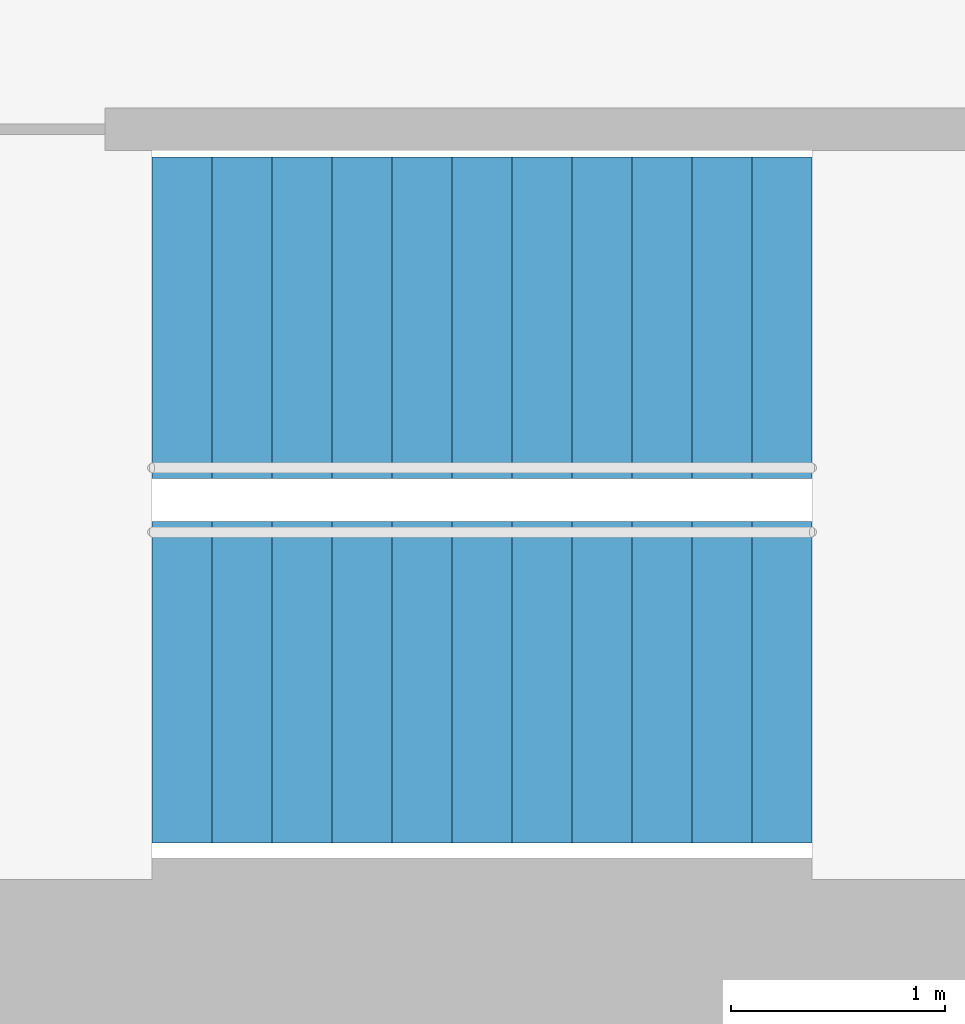
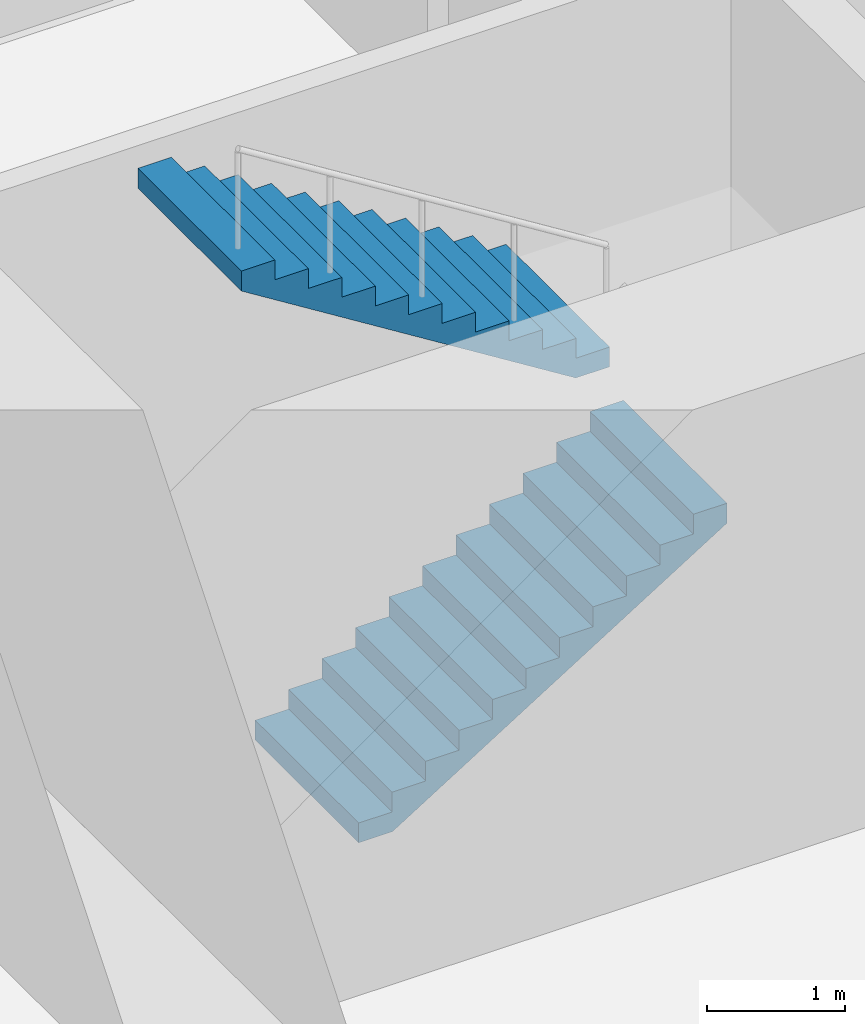
# One storey, part 15 of 17: 2 stair flights, 1 element without a shape of its own.
"""IFC4 building model written with IfcOpenShell, lengths in metres."""

from ifc_helpers import new_model, si_unit, direction, frame, origin, place, context, subcontext, project, spatial, triangles, material, type_object, element, aggregate, save


model = new_model("IFC4")

# Units and contexts
model_context = context("Model", 3, precision=1e-05, world=origin(), true_north=direction((0.0, 1.0)))
body_context = subcontext(model_context, "Body", "Model", "MODEL_VIEW")
ifc_project = project(units=[si_unit("LENGTHUNIT", "METRE"), si_unit("AREAUNIT", "SQUARE_METRE"), si_unit("VOLUMEUNIT", "CUBIC_METRE"), si_unit("PLANEANGLEUNIT", "RADIAN"), si_unit("MASSUNIT", "GRAM", prefix="KILO")], contexts=[model_context])

# Site, building, storey
site_placement = place(None, origin())
site = spatial("IfcSite", under=ifc_project, at=site_placement, CompositionType="ELEMENT")
building_placement = place(site_placement, origin())
building = spatial("IfcBuilding", under=site, at=building_placement, Name="Lantaw Convention Tower", CompositionType="ELEMENT")
storey_placement = place(building_placement, frame((0.0, 0.0, 117.39990234375)))
storey = spatial("IfcBuildingStorey", under=building, at=storey_placement, Name="L27", CompositionType="ELEMENT", Elevation=117.39990234375)

# Stair, stair flights
ifc_material = material(Name="Concrete C35/45", Category="concrete")
stair_type = type_object("IfcStairType", Name="Exit stair 1500 riser 175 in 2 flights", PredefinedType="HALF_TURN_STAIR", material=ifc_material)
stair_placement = place(storey_placement, origin())
stair = element("IfcStair", 1, at=stair_placement, inside=storey, type_object=stair_type, Name="Exit stair S1 L27", PredefinedType="HALF_TURN_STAIR")
stair_flight_type = type_object("IfcStairFlightType", Name="Stair flight 1500 riser 175", PredefinedType="STRAIGHT", material=ifc_material)
stair_flight_1_placement = place(storey_placement, frame((-10.580078125, -5.97998046875, 0.0), z_axis=(0.0, 0.0, 1.0), x_axis=(1.0, 0.0, 0.0)))
stair_flight_1 = element("IfcStairFlight", 2, at=stair_flight_1_placement, type_object=stair_flight_type, Name="S1 flight 1", NumberOfRisers=12, NumberOfTreads=11, PredefinedType="STRAIGHT", RiserHeight=0.175, TreadLength=0.28, context=body_context, shape_type="Tessellation", body=[
    triangles([(0.0, 0.75, 0.0), (0.0, 0.75, 0.175), (0.28, 0.75, 0.0), (0.28, 0.75, 0.175), (0.28, 0.75, 0.35), (0.28283517651771284, 0.75, 0.0), (0.28283517651771284, 0.75, 0.35), (0.56, 0.75, 0.17322801467642948), (0.56, 0.75, 0.35), (0.56, 0.75, 0.5249999999999999), (0.8400000000000001, 0.75, 0.34822801467642944), (0.8400000000000001, 0.75, 0.5249999999999999), (0.8400000000000001, 0.75, 0.7), (1.12, 0.75, 0.5232280146764294), (1.12, 0.75, 0.7), (1.12, 0.75, 0.875), (1.4000000000000001, 0.75, 0.6982280146764295), (1.4000000000000001, 0.75, 0.875), (1.4000000000000001, 0.75, 1.0499999999999998), (1.6800000000000002, 0.75, 0.8732280146764294), (1.6800000000000002, 0.75, 1.0499999999999998), (1.6800000000000002, 0.75, 1.2249999999999999), (1.9600000000000002, 0.75, 1.0482280146764293), (1.9600000000000002, 0.75, 1.2249999999999999), (1.9600000000000002, 0.75, 1.4), (2.24, 0.75, 1.2232280146764294), (2.24, 0.75, 1.4), (2.24, 0.75, 1.575), (2.5200000000000005, 0.75, 1.3982280146764294), (2.5200000000000005, 0.75, 1.575), (2.5200000000000005, 0.75, 1.75), (2.8000000000000003, 0.75, 1.5732280146764293), (2.8000000000000003, 0.75, 1.75), (2.8000000000000003, 0.75, 1.9249999999999998), (3.08, 0.75, 1.7482280146764293), (3.08, 0.75, 1.9249999999999998), (0.0, -0.75, 0.0), (0.0, -0.75, 0.175), (0.28, -0.75, 0.0), (0.28, -0.75, 0.175), (0.28, -0.75, 0.35), (0.28283517651771284, -0.75, 0.0), (0.28283517651771284, -0.75, 0.35), (0.56, -0.75, 0.17322801467642948), (0.56, -0.75, 0.35), (0.56, -0.75, 0.5249999999999999), (0.8400000000000001, -0.75, 0.34822801467642944), (0.8400000000000001, -0.75, 0.5249999999999999), (0.8400000000000001, -0.75, 0.7), (1.12, -0.75, 0.5232280146764294), (1.12, -0.75, 0.7), (1.12, -0.75, 0.875), (1.4000000000000001, -0.75, 0.6982280146764295), (1.4000000000000001, -0.75, 0.875), (1.4000000000000001, -0.75, 1.0499999999999998), (1.6800000000000002, -0.75, 0.8732280146764294), (1.6800000000000002, -0.75, 1.0499999999999998), (1.6800000000000002, -0.75, 1.2249999999999999), (1.9600000000000002, -0.75, 1.0482280146764293), (1.9600000000000002, -0.75, 1.2249999999999999), (1.9600000000000002, -0.75, 1.4), (2.24, -0.75, 1.2232280146764294), (2.24, -0.75, 1.4), (2.24, -0.75, 1.575), (2.5200000000000005, -0.75, 1.3982280146764294), (2.5200000000000005, -0.75, 1.575), (2.5200000000000005, -0.75, 1.75), (2.8000000000000003, -0.75, 1.5732280146764293), (2.8000000000000003, -0.75, 1.75), (2.8000000000000003, -0.75, 1.9249999999999998), (3.08, -0.75, 1.7482280146764293), (3.08, -0.75, 1.9249999999999998), (0.0, 0.15000000000000002, 0.175), (0.0, 0.15000000000000002, 0.0), (0.0, 0.0, 0.175), (0.0, 0.0, 0.0), (0.0, -0.15000000000000002, 0.175), (0.0, -0.15000000000000002, 0.0), (0.28, 0.15000000000000002, 0.35), (0.28, 0.15000000000000002, 0.175), (0.28, 0.0, 0.35), (0.28, 0.0, 0.175), (0.28, -0.15000000000000002, 0.35), (0.28, -0.15000000000000002, 0.175), (0.56, 0.15000000000000002, 0.5249999999999999), (0.56, 0.15000000000000002, 0.35), (0.56, 0.0, 0.5249999999999999), (0.56, 0.0, 0.35), (0.56, -0.15000000000000002, 0.5249999999999999), (0.56, -0.15000000000000002, 0.35), (0.8400000000000001, 0.15000000000000002, 0.7), (0.8400000000000001, 0.15000000000000002, 0.5249999999999999), (0.8400000000000001, 0.0, 0.7), (0.8400000000000001, 0.0, 0.5249999999999999), (0.8400000000000001, -0.15000000000000002, 0.7), (0.8400000000000001, -0.15000000000000002, 0.5249999999999999), (1.12, 0.15000000000000002, 0.875), (1.12, 0.15000000000000002, 0.7), (1.12, 0.0, 0.875), (1.12, 0.0, 0.7), (1.12, -0.15000000000000002, 0.875), (1.12, -0.15000000000000002, 0.7), (1.4000000000000001, 0.15000000000000002, 1.0499999999999998), (1.4000000000000001, 0.15000000000000002, 0.875), (1.4000000000000001, 0.0, 1.0499999999999998), (1.4000000000000001, 0.0, 0.875), (1.4000000000000001, -0.15000000000000002, 1.0499999999999998), (1.4000000000000001, -0.15000000000000002, 0.875), (1.6800000000000002, 0.15000000000000002, 1.2249999999999999), (1.6800000000000002, 0.15000000000000002, 1.0499999999999998), (1.6800000000000002, 0.0, 1.2249999999999999), (1.6800000000000002, 0.0, 1.0499999999999998), (1.6800000000000002, -0.15000000000000002, 1.2249999999999999), (1.6800000000000002, -0.15000000000000002, 1.0499999999999998), (1.9600000000000002, 0.15000000000000002, 1.4), (1.9600000000000002, 0.15000000000000002, 1.2249999999999999), (1.9600000000000002, 0.0, 1.4), (1.9600000000000002, 0.0, 1.2249999999999999), (1.9600000000000002, -0.15000000000000002, 1.4), (1.9600000000000002, -0.15000000000000002, 1.2249999999999999), (2.24, 0.15000000000000002, 1.575), (2.24, 0.15000000000000002, 1.4), (2.24, 0.0, 1.575), (2.24, 0.0, 1.4), (2.24, -0.15000000000000002, 1.575), (2.24, -0.15000000000000002, 1.4), (2.5200000000000005, 0.15000000000000002, 1.75), (2.5200000000000005, 0.15000000000000002, 1.575), (2.5200000000000005, 0.0, 1.75), (2.5200000000000005, 0.0, 1.575), (2.5200000000000005, -0.15000000000000002, 1.75), (2.5200000000000005, -0.15000000000000002, 1.575), (2.8000000000000003, 0.15000000000000002, 1.9249999999999998), (2.8000000000000003, 0.15000000000000002, 1.75), (2.8000000000000003, 0.0, 1.9249999999999998), (2.8000000000000003, 0.0, 1.75), (2.8000000000000003, -0.15000000000000002, 1.9249999999999998), (2.8000000000000003, -0.15000000000000002, 1.75), (0.28283517651771284, 0.15000000000000002, 0.35), (0.28283517651771284, 0.0, 0.35), (0.28283517651771284, -0.15000000000000002, 0.35), (3.08, 0.15000000000000002, 1.9249999999999998), (3.08, 0.0, 1.9249999999999998), (3.08, -0.15000000000000002, 1.9249999999999998), (3.08, 0.15000000000000002, 1.7482280146764293), (3.08, 0.0, 1.7482280146764293), (3.08, -0.15000000000000002, 1.7482280146764293), (2.8000000000000003, 0.15000000000000002, 1.5732280146764293), (2.8000000000000003, 0.0, 1.5732280146764293), (2.8000000000000003, -0.15000000000000002, 1.5732280146764293), (2.5200000000000005, 0.15000000000000002, 1.3982280146764294), (2.5200000000000005, 0.0, 1.3982280146764294), (2.5200000000000005, -0.15000000000000002, 1.3982280146764294), (2.24, 0.15000000000000002, 1.2232280146764294), (2.24, 0.0, 1.2232280146764294), (2.24, -0.15000000000000002, 1.2232280146764294), (1.9600000000000002, 0.15000000000000002, 1.0482280146764293), (1.9600000000000002, 0.0, 1.0482280146764293), (1.9600000000000002, -0.15000000000000002, 1.0482280146764293), (1.6800000000000002, 0.15000000000000002, 0.8732280146764294), (1.6800000000000002, 0.0, 0.8732280146764294), (1.6800000000000002, -0.15000000000000002, 0.8732280146764294), (1.4000000000000001, 0.15000000000000002, 0.6982280146764295), (1.4000000000000001, 0.0, 0.6982280146764295), (1.4000000000000001, -0.15000000000000002, 0.6982280146764295), (1.12, 0.15000000000000002, 0.5232280146764294), (1.12, 0.0, 0.5232280146764294), (1.12, -0.15000000000000002, 0.5232280146764294), (0.8400000000000001, 0.15000000000000002, 0.34822801467642944), (0.8400000000000001, 0.0, 0.34822801467642944), (0.8400000000000001, -0.15000000000000002, 0.34822801467642944), (0.56, 0.15000000000000002, 0.17322801467642948), (0.56, 0.0, 0.17322801467642948), (0.56, -0.15000000000000002, 0.17322801467642948), (0.28283517651771284, 0.15000000000000002, 0.0), (0.28283517651771284, 0.0, 0.0), (0.28283517651771284, -0.15000000000000002, 0.0), (0.28, 0.15000000000000002, 0.0), (0.28, 0.0, 0.0), (0.28, -0.15000000000000002, 0.0)], [[1, 4, 3], [1, 2, 4], [3, 4, 6], [4, 7, 6], [4, 5, 7], [6, 9, 8], [6, 7, 9], [8, 9, 11], [9, 12, 11], [9, 10, 12], [11, 12, 14], [12, 15, 14], [12, 13, 15], [14, 15, 17], [15, 18, 17], [15, 16, 18], [17, 18, 20], [18, 21, 20], [18, 19, 21], [20, 21, 23], [21, 24, 23], [21, 22, 24], [23, 24, 26], [24, 27, 26], [24, 25, 27], [26, 27, 29], [27, 30, 29], [27, 28, 30], [29, 30, 32], [30, 33, 32], [30, 31, 33], [32, 33, 35], [33, 36, 35], [33, 34, 36], [37, 39, 40], [37, 40, 38], [39, 42, 40], [40, 42, 43], [40, 43, 41], [42, 44, 45], [42, 45, 43], [44, 47, 45], [45, 47, 48], [45, 48, 46], [47, 50, 48], [48, 50, 51], [48, 51, 49], [50, 53, 51], [51, 53, 54], [51, 54, 52], [53, 56, 54], [54, 56, 57], [54, 57, 55], [56, 59, 57], [57, 59, 60], [57, 60, 58], [59, 62, 60], [60, 62, 63], [60, 63, 61], [62, 65, 63], [63, 65, 66], [63, 66, 64], [65, 68, 66], [66, 68, 69], [66, 69, 67], [68, 71, 69], [69, 71, 72], [69, 72, 70], [1, 73, 2], [1, 74, 73], [74, 75, 73], [74, 76, 75], [76, 77, 75], [76, 78, 77], [78, 38, 77], [78, 37, 38], [4, 79, 5], [4, 80, 79], [80, 81, 79], [80, 82, 81], [82, 83, 81], [82, 84, 83], [84, 41, 83], [84, 40, 41], [9, 85, 10], [9, 86, 85], [86, 87, 85], [86, 88, 87], [88, 89, 87], [88, 90, 89], [90, 46, 89], [90, 45, 46], [12, 91, 13], [12, 92, 91], [92, 93, 91], [92, 94, 93], [94, 95, 93], [94, 96, 95], [96, 49, 95], [96, 48, 49], [15, 97, 16], [15, 98, 97], [98, 99, 97], [98, 100, 99], [100, 101, 99], [100, 102, 101], [102, 52, 101], [102, 51, 52], [18, 103, 19], [18, 104, 103], [104, 105, 103], [104, 106, 105], [106, 107, 105], [106, 108, 107], [108, 55, 107], [108, 54, 55], [21, 109, 22], [21, 110, 109], [110, 111, 109], [110, 112, 111], [112, 113, 111], [112, 114, 113], [114, 58, 113], [114, 57, 58], [24, 115, 25], [24, 116, 115], [116, 117, 115], [116, 118, 117], [118, 119, 117], [118, 120, 119], [120, 61, 119], [120, 60, 61], [27, 121, 28], [27, 122, 121], [122, 123, 121], [122, 124, 123], [124, 125, 123], [124, 126, 125], [126, 64, 125], [126, 63, 64], [30, 127, 31], [30, 128, 127], [128, 129, 127], [128, 130, 129], [130, 131, 129], [130, 132, 131], [132, 67, 131], [132, 66, 67], [33, 133, 34], [33, 134, 133], [134, 135, 133], [134, 136, 135], [136, 137, 135], [136, 138, 137], [138, 70, 137], [138, 69, 70], [2, 80, 4], [2, 73, 80], [73, 82, 80], [73, 75, 82], [75, 84, 82], [75, 77, 84], [77, 40, 84], [77, 38, 40], [5, 139, 7], [5, 79, 139], [79, 140, 139], [79, 81, 140], [81, 141, 140], [81, 83, 141], [83, 43, 141], [83, 41, 43], [7, 86, 9], [7, 139, 86], [139, 88, 86], [139, 140, 88], [140, 90, 88], [140, 141, 90], [141, 45, 90], [141, 43, 45], [10, 92, 12], [10, 85, 92], [85, 94, 92], [85, 87, 94], [87, 96, 94], [87, 89, 96], [89, 48, 96], [89, 46, 48], [13, 98, 15], [13, 91, 98], [91, 100, 98], [91, 93, 100], [93, 102, 100], [93, 95, 102], [95, 51, 102], [95, 49, 51], [16, 104, 18], [16, 97, 104], [97, 106, 104], [97, 99, 106], [99, 108, 106], [99, 101, 108], [101, 54, 108], [101, 52, 54], [19, 110, 21], [19, 103, 110], [103, 112, 110], [103, 105, 112], [105, 114, 112], [105, 107, 114], [107, 57, 114], [107, 55, 57], [22, 116, 24], [22, 109, 116], [109, 118, 116], [109, 111, 118], [111, 120, 118], [111, 113, 120], [113, 60, 120], [113, 58, 60], [25, 122, 27], [25, 115, 122], [115, 124, 122], [115, 117, 124], [117, 126, 124], [117, 119, 126], [119, 63, 126], [119, 61, 63], [28, 128, 30], [28, 121, 128], [121, 130, 128], [121, 123, 130], [123, 132, 130], [123, 125, 132], [125, 66, 132], [125, 64, 66], [31, 134, 33], [31, 127, 134], [127, 136, 134], [127, 129, 136], [129, 138, 136], [129, 131, 138], [131, 69, 138], [131, 67, 69], [34, 142, 36], [34, 133, 142], [133, 143, 142], [133, 135, 143], [135, 144, 143], [135, 137, 144], [137, 72, 144], [137, 70, 72], [36, 145, 35], [36, 142, 145], [142, 146, 145], [142, 143, 146], [143, 147, 146], [143, 144, 147], [144, 71, 147], [144, 72, 71], [35, 148, 32], [35, 145, 148], [145, 149, 148], [145, 146, 149], [146, 150, 149], [146, 147, 150], [147, 68, 150], [147, 71, 68], [32, 151, 29], [32, 148, 151], [148, 152, 151], [148, 149, 152], [149, 153, 152], [149, 150, 153], [150, 65, 153], [150, 68, 65], [29, 154, 26], [29, 151, 154], [151, 155, 154], [151, 152, 155], [152, 156, 155], [152, 153, 156], [153, 62, 156], [153, 65, 62], [26, 157, 23], [26, 154, 157], [154, 158, 157], [154, 155, 158], [155, 159, 158], [155, 156, 159], [156, 59, 159], [156, 62, 59], [23, 160, 20], [23, 157, 160], [157, 161, 160], [157, 158, 161], [158, 162, 161], [158, 159, 162], [159, 56, 162], [159, 59, 56], [20, 163, 17], [20, 160, 163], [160, 164, 163], [160, 161, 164], [161, 165, 164], [161, 162, 165], [162, 53, 165], [162, 56, 53], [17, 166, 14], [17, 163, 166], [163, 167, 166], [163, 164, 167], [164, 168, 167], [164, 165, 168], [165, 50, 168], [165, 53, 50], [14, 169, 11], [14, 166, 169], [166, 170, 169], [166, 167, 170], [167, 171, 170], [167, 168, 171], [168, 47, 171], [168, 50, 47], [11, 172, 8], [11, 169, 172], [169, 173, 172], [169, 170, 173], [170, 174, 173], [170, 171, 174], [171, 44, 174], [171, 47, 44], [8, 175, 6], [8, 172, 175], [172, 176, 175], [172, 173, 176], [173, 177, 176], [173, 174, 177], [174, 42, 177], [174, 44, 42], [6, 178, 3], [6, 175, 178], [175, 179, 178], [175, 176, 179], [176, 180, 179], [176, 177, 180], [177, 39, 180], [177, 42, 39], [3, 74, 1], [3, 178, 74], [178, 76, 74], [178, 179, 76], [179, 78, 76], [179, 180, 78], [180, 37, 78], [180, 39, 37]], closed=True),
])
stair_flight_2_placement = place(storey_placement, frame((-7.5, -4.280029296875, 2.10009765625), z_axis=(0.0, 0.0, 1.0), x_axis=(-1.0, 0.0, 0.0)))
stair_flight_2 = element("IfcStairFlight", 3, at=stair_flight_2_placement, type_object=stair_flight_type, Name="S1 flight 2", NumberOfRisers=12, NumberOfTreads=11, PredefinedType="STRAIGHT", RiserHeight=0.175, TreadLength=0.28, context=body_context, shape_type="Tessellation", body=[
    triangles([(0.0, 0.75, 0.0), (0.0, 0.75, 0.175), (0.28, 0.75, 0.0), (0.28, 0.75, 0.175), (0.28, 0.75, 0.35), (0.28283517651771284, 0.75, 0.0), (0.28283517651771284, 0.75, 0.35), (0.56, 0.75, 0.17322801467642948), (0.56, 0.75, 0.35), (0.56, 0.75, 0.5249999999999999), (0.8400000000000001, 0.75, 0.34822801467642944), (0.8400000000000001, 0.75, 0.5249999999999999), (0.8400000000000001, 0.75, 0.7), (1.12, 0.75, 0.5232280146764294), (1.12, 0.75, 0.7), (1.12, 0.75, 0.875), (1.4000000000000001, 0.75, 0.6982280146764295), (1.4000000000000001, 0.75, 0.875), (1.4000000000000001, 0.75, 1.0499999999999998), (1.6800000000000002, 0.75, 0.8732280146764294), (1.6800000000000002, 0.75, 1.0499999999999998), (1.6800000000000002, 0.75, 1.2249999999999999), (1.9600000000000002, 0.75, 1.0482280146764293), (1.9600000000000002, 0.75, 1.2249999999999999), (1.9600000000000002, 0.75, 1.4), (2.24, 0.75, 1.2232280146764294), (2.24, 0.75, 1.4), (2.24, 0.75, 1.575), (2.5200000000000005, 0.75, 1.3982280146764294), (2.5200000000000005, 0.75, 1.575), (2.5200000000000005, 0.75, 1.75), (2.8000000000000003, 0.75, 1.5732280146764293), (2.8000000000000003, 0.75, 1.75), (2.8000000000000003, 0.75, 1.9249999999999998), (3.08, 0.75, 1.7482280146764293), (3.08, 0.75, 1.9249999999999998), (0.0, -0.75, 0.0), (0.0, -0.75, 0.175), (0.28, -0.75, 0.0), (0.28, -0.75, 0.175), (0.28, -0.75, 0.35), (0.28283517651771284, -0.75, 0.0), (0.28283517651771284, -0.75, 0.35), (0.56, -0.75, 0.17322801467642948), (0.56, -0.75, 0.35), (0.56, -0.75, 0.5249999999999999), (0.8400000000000001, -0.75, 0.34822801467642944), (0.8400000000000001, -0.75, 0.5249999999999999), (0.8400000000000001, -0.75, 0.7), (1.12, -0.75, 0.5232280146764294), (1.12, -0.75, 0.7), (1.12, -0.75, 0.875), (1.4000000000000001, -0.75, 0.6982280146764295), (1.4000000000000001, -0.75, 0.875), (1.4000000000000001, -0.75, 1.0499999999999998), (1.6800000000000002, -0.75, 0.8732280146764294), (1.6800000000000002, -0.75, 1.0499999999999998), (1.6800000000000002, -0.75, 1.2249999999999999), (1.9600000000000002, -0.75, 1.0482280146764293), (1.9600000000000002, -0.75, 1.2249999999999999), (1.9600000000000002, -0.75, 1.4), (2.24, -0.75, 1.2232280146764294), (2.24, -0.75, 1.4), (2.24, -0.75, 1.575), (2.5200000000000005, -0.75, 1.3982280146764294), (2.5200000000000005, -0.75, 1.575), (2.5200000000000005, -0.75, 1.75), (2.8000000000000003, -0.75, 1.5732280146764293), (2.8000000000000003, -0.75, 1.75), (2.8000000000000003, -0.75, 1.9249999999999998), (3.08, -0.75, 1.7482280146764293), (3.08, -0.75, 1.9249999999999998), (0.0, 0.15000000000000002, 0.175), (0.0, 0.15000000000000002, 0.0), (0.0, 0.0, 0.175), (0.0, 0.0, 0.0), (0.0, -0.15000000000000002, 0.175), (0.0, -0.15000000000000002, 0.0), (0.28, 0.15000000000000002, 0.35), (0.28, 0.15000000000000002, 0.175), (0.28, 0.0, 0.35), (0.28, 0.0, 0.175), (0.28, -0.15000000000000002, 0.35), (0.28, -0.15000000000000002, 0.175), (0.56, 0.15000000000000002, 0.5249999999999999), (0.56, 0.15000000000000002, 0.35), (0.56, 0.0, 0.5249999999999999), (0.56, 0.0, 0.35), (0.56, -0.15000000000000002, 0.5249999999999999), (0.56, -0.15000000000000002, 0.35), (0.8400000000000001, 0.15000000000000002, 0.7), (0.8400000000000001, 0.15000000000000002, 0.5249999999999999), (0.8400000000000001, 0.0, 0.7), (0.8400000000000001, 0.0, 0.5249999999999999), (0.8400000000000001, -0.15000000000000002, 0.7), (0.8400000000000001, -0.15000000000000002, 0.5249999999999999), (1.12, 0.15000000000000002, 0.875), (1.12, 0.15000000000000002, 0.7), (1.12, 0.0, 0.875), (1.12, 0.0, 0.7), (1.12, -0.15000000000000002, 0.875), (1.12, -0.15000000000000002, 0.7), (1.4000000000000001, 0.15000000000000002, 1.0499999999999998), (1.4000000000000001, 0.15000000000000002, 0.875), (1.4000000000000001, 0.0, 1.0499999999999998), (1.4000000000000001, 0.0, 0.875), (1.4000000000000001, -0.15000000000000002, 1.0499999999999998), (1.4000000000000001, -0.15000000000000002, 0.875), (1.6800000000000002, 0.15000000000000002, 1.2249999999999999), (1.6800000000000002, 0.15000000000000002, 1.0499999999999998), (1.6800000000000002, 0.0, 1.2249999999999999), (1.6800000000000002, 0.0, 1.0499999999999998), (1.6800000000000002, -0.15000000000000002, 1.2249999999999999), (1.6800000000000002, -0.15000000000000002, 1.0499999999999998), (1.9600000000000002, 0.15000000000000002, 1.4), (1.9600000000000002, 0.15000000000000002, 1.2249999999999999), (1.9600000000000002, 0.0, 1.4), (1.9600000000000002, 0.0, 1.2249999999999999), (1.9600000000000002, -0.15000000000000002, 1.4), (1.9600000000000002, -0.15000000000000002, 1.2249999999999999), (2.24, 0.15000000000000002, 1.575), (2.24, 0.15000000000000002, 1.4), (2.24, 0.0, 1.575), (2.24, 0.0, 1.4), (2.24, -0.15000000000000002, 1.575), (2.24, -0.15000000000000002, 1.4), (2.5200000000000005, 0.15000000000000002, 1.75), (2.5200000000000005, 0.15000000000000002, 1.575), (2.5200000000000005, 0.0, 1.75), (2.5200000000000005, 0.0, 1.575), (2.5200000000000005, -0.15000000000000002, 1.75), (2.5200000000000005, -0.15000000000000002, 1.575), (2.8000000000000003, 0.15000000000000002, 1.9249999999999998), (2.8000000000000003, 0.15000000000000002, 1.75), (2.8000000000000003, 0.0, 1.9249999999999998), (2.8000000000000003, 0.0, 1.75), (2.8000000000000003, -0.15000000000000002, 1.9249999999999998), (2.8000000000000003, -0.15000000000000002, 1.75), (0.28283517651771284, 0.15000000000000002, 0.35), (0.28283517651771284, 0.0, 0.35), (0.28283517651771284, -0.15000000000000002, 0.35), (3.08, 0.15000000000000002, 1.9249999999999998), (3.08, 0.0, 1.9249999999999998), (3.08, -0.15000000000000002, 1.9249999999999998), (3.08, 0.15000000000000002, 1.7482280146764293), (3.08, 0.0, 1.7482280146764293), (3.08, -0.15000000000000002, 1.7482280146764293), (2.8000000000000003, 0.15000000000000002, 1.5732280146764293), (2.8000000000000003, 0.0, 1.5732280146764293), (2.8000000000000003, -0.15000000000000002, 1.5732280146764293), (2.5200000000000005, 0.15000000000000002, 1.3982280146764294), (2.5200000000000005, 0.0, 1.3982280146764294), (2.5200000000000005, -0.15000000000000002, 1.3982280146764294), (2.24, 0.15000000000000002, 1.2232280146764294), (2.24, 0.0, 1.2232280146764294), (2.24, -0.15000000000000002, 1.2232280146764294), (1.9600000000000002, 0.15000000000000002, 1.0482280146764293), (1.9600000000000002, 0.0, 1.0482280146764293), (1.9600000000000002, -0.15000000000000002, 1.0482280146764293), (1.6800000000000002, 0.15000000000000002, 0.8732280146764294), (1.6800000000000002, 0.0, 0.8732280146764294), (1.6800000000000002, -0.15000000000000002, 0.8732280146764294), (1.4000000000000001, 0.15000000000000002, 0.6982280146764295), (1.4000000000000001, 0.0, 0.6982280146764295), (1.4000000000000001, -0.15000000000000002, 0.6982280146764295), (1.12, 0.15000000000000002, 0.5232280146764294), (1.12, 0.0, 0.5232280146764294), (1.12, -0.15000000000000002, 0.5232280146764294), (0.8400000000000001, 0.15000000000000002, 0.34822801467642944), (0.8400000000000001, 0.0, 0.34822801467642944), (0.8400000000000001, -0.15000000000000002, 0.34822801467642944), (0.56, 0.15000000000000002, 0.17322801467642948), (0.56, 0.0, 0.17322801467642948), (0.56, -0.15000000000000002, 0.17322801467642948), (0.28283517651771284, 0.15000000000000002, 0.0), (0.28283517651771284, 0.0, 0.0), (0.28283517651771284, -0.15000000000000002, 0.0), (0.28, 0.15000000000000002, 0.0), (0.28, 0.0, 0.0), (0.28, -0.15000000000000002, 0.0)], [[1, 4, 3], [1, 2, 4], [3, 4, 6], [4, 7, 6], [4, 5, 7], [6, 9, 8], [6, 7, 9], [8, 9, 11], [9, 12, 11], [9, 10, 12], [11, 12, 14], [12, 15, 14], [12, 13, 15], [14, 15, 17], [15, 18, 17], [15, 16, 18], [17, 18, 20], [18, 21, 20], [18, 19, 21], [20, 21, 23], [21, 24, 23], [21, 22, 24], [23, 24, 26], [24, 27, 26], [24, 25, 27], [26, 27, 29], [27, 30, 29], [27, 28, 30], [29, 30, 32], [30, 33, 32], [30, 31, 33], [32, 33, 35], [33, 36, 35], [33, 34, 36], [37, 39, 40], [37, 40, 38], [39, 42, 40], [40, 42, 43], [40, 43, 41], [42, 44, 45], [42, 45, 43], [44, 47, 45], [45, 47, 48], [45, 48, 46], [47, 50, 48], [48, 50, 51], [48, 51, 49], [50, 53, 51], [51, 53, 54], [51, 54, 52], [53, 56, 54], [54, 56, 57], [54, 57, 55], [56, 59, 57], [57, 59, 60], [57, 60, 58], [59, 62, 60], [60, 62, 63], [60, 63, 61], [62, 65, 63], [63, 65, 66], [63, 66, 64], [65, 68, 66], [66, 68, 69], [66, 69, 67], [68, 71, 69], [69, 71, 72], [69, 72, 70], [1, 73, 2], [1, 74, 73], [74, 75, 73], [74, 76, 75], [76, 77, 75], [76, 78, 77], [78, 38, 77], [78, 37, 38], [4, 79, 5], [4, 80, 79], [80, 81, 79], [80, 82, 81], [82, 83, 81], [82, 84, 83], [84, 41, 83], [84, 40, 41], [9, 85, 10], [9, 86, 85], [86, 87, 85], [86, 88, 87], [88, 89, 87], [88, 90, 89], [90, 46, 89], [90, 45, 46], [12, 91, 13], [12, 92, 91], [92, 93, 91], [92, 94, 93], [94, 95, 93], [94, 96, 95], [96, 49, 95], [96, 48, 49], [15, 97, 16], [15, 98, 97], [98, 99, 97], [98, 100, 99], [100, 101, 99], [100, 102, 101], [102, 52, 101], [102, 51, 52], [18, 103, 19], [18, 104, 103], [104, 105, 103], [104, 106, 105], [106, 107, 105], [106, 108, 107], [108, 55, 107], [108, 54, 55], [21, 109, 22], [21, 110, 109], [110, 111, 109], [110, 112, 111], [112, 113, 111], [112, 114, 113], [114, 58, 113], [114, 57, 58], [24, 115, 25], [24, 116, 115], [116, 117, 115], [116, 118, 117], [118, 119, 117], [118, 120, 119], [120, 61, 119], [120, 60, 61], [27, 121, 28], [27, 122, 121], [122, 123, 121], [122, 124, 123], [124, 125, 123], [124, 126, 125], [126, 64, 125], [126, 63, 64], [30, 127, 31], [30, 128, 127], [128, 129, 127], [128, 130, 129], [130, 131, 129], [130, 132, 131], [132, 67, 131], [132, 66, 67], [33, 133, 34], [33, 134, 133], [134, 135, 133], [134, 136, 135], [136, 137, 135], [136, 138, 137], [138, 70, 137], [138, 69, 70], [2, 80, 4], [2, 73, 80], [73, 82, 80], [73, 75, 82], [75, 84, 82], [75, 77, 84], [77, 40, 84], [77, 38, 40], [5, 139, 7], [5, 79, 139], [79, 140, 139], [79, 81, 140], [81, 141, 140], [81, 83, 141], [83, 43, 141], [83, 41, 43], [7, 86, 9], [7, 139, 86], [139, 88, 86], [139, 140, 88], [140, 90, 88], [140, 141, 90], [141, 45, 90], [141, 43, 45], [10, 92, 12], [10, 85, 92], [85, 94, 92], [85, 87, 94], [87, 96, 94], [87, 89, 96], [89, 48, 96], [89, 46, 48], [13, 98, 15], [13, 91, 98], [91, 100, 98], [91, 93, 100], [93, 102, 100], [93, 95, 102], [95, 51, 102], [95, 49, 51], [16, 104, 18], [16, 97, 104], [97, 106, 104], [97, 99, 106], [99, 108, 106], [99, 101, 108], [101, 54, 108], [101, 52, 54], [19, 110, 21], [19, 103, 110], [103, 112, 110], [103, 105, 112], [105, 114, 112], [105, 107, 114], [107, 57, 114], [107, 55, 57], [22, 116, 24], [22, 109, 116], [109, 118, 116], [109, 111, 118], [111, 120, 118], [111, 113, 120], [113, 60, 120], [113, 58, 60], [25, 122, 27], [25, 115, 122], [115, 124, 122], [115, 117, 124], [117, 126, 124], [117, 119, 126], [119, 63, 126], [119, 61, 63], [28, 128, 30], [28, 121, 128], [121, 130, 128], [121, 123, 130], [123, 132, 130], [123, 125, 132], [125, 66, 132], [125, 64, 66], [31, 134, 33], [31, 127, 134], [127, 136, 134], [127, 129, 136], [129, 138, 136], [129, 131, 138], [131, 69, 138], [131, 67, 69], [34, 142, 36], [34, 133, 142], [133, 143, 142], [133, 135, 143], [135, 144, 143], [135, 137, 144], [137, 72, 144], [137, 70, 72], [36, 145, 35], [36, 142, 145], [142, 146, 145], [142, 143, 146], [143, 147, 146], [143, 144, 147], [144, 71, 147], [144, 72, 71], [35, 148, 32], [35, 145, 148], [145, 149, 148], [145, 146, 149], [146, 150, 149], [146, 147, 150], [147, 68, 150], [147, 71, 68], [32, 151, 29], [32, 148, 151], [148, 152, 151], [148, 149, 152], [149, 153, 152], [149, 150, 153], [150, 65, 153], [150, 68, 65], [29, 154, 26], [29, 151, 154], [151, 155, 154], [151, 152, 155], [152, 156, 155], [152, 153, 156], [153, 62, 156], [153, 65, 62], [26, 157, 23], [26, 154, 157], [154, 158, 157], [154, 155, 158], [155, 159, 158], [155, 156, 159], [156, 59, 159], [156, 62, 59], [23, 160, 20], [23, 157, 160], [157, 161, 160], [157, 158, 161], [158, 162, 161], [158, 159, 162], [159, 56, 162], [159, 59, 56], [20, 163, 17], [20, 160, 163], [160, 164, 163], [160, 161, 164], [161, 165, 164], [161, 162, 165], [162, 53, 165], [162, 56, 53], [17, 166, 14], [17, 163, 166], [163, 167, 166], [163, 164, 167], [164, 168, 167], [164, 165, 168], [165, 50, 168], [165, 53, 50], [14, 169, 11], [14, 166, 169], [166, 170, 169], [166, 167, 170], [167, 171, 170], [167, 168, 171], [168, 47, 171], [168, 50, 47], [11, 172, 8], [11, 169, 172], [169, 173, 172], [169, 170, 173], [170, 174, 173], [170, 171, 174], [171, 44, 174], [171, 47, 44], [8, 175, 6], [8, 172, 175], [172, 176, 175], [172, 173, 176], [173, 177, 176], [173, 174, 177], [174, 42, 177], [174, 44, 42], [6, 178, 3], [6, 175, 178], [175, 179, 178], [175, 176, 179], [176, 180, 179], [176, 177, 180], [177, 39, 180], [177, 42, 39], [3, 74, 1], [3, 178, 74], [178, 76, 74], [178, 179, 76], [179, 78, 76], [179, 180, 78], [180, 37, 78], [180, 39, 37]], closed=True),
])
aggregate(stair, [stair_flight_1, stair_flight_2])

save(model, "model.ifc")
